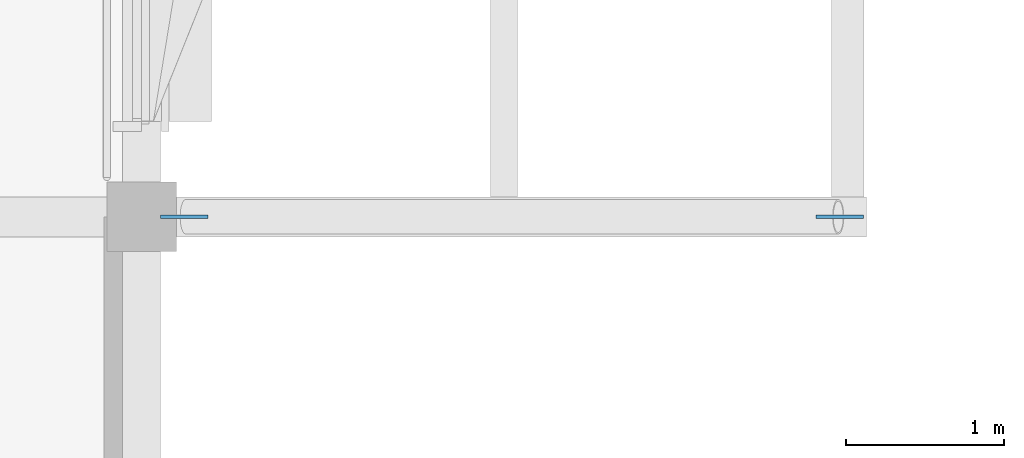
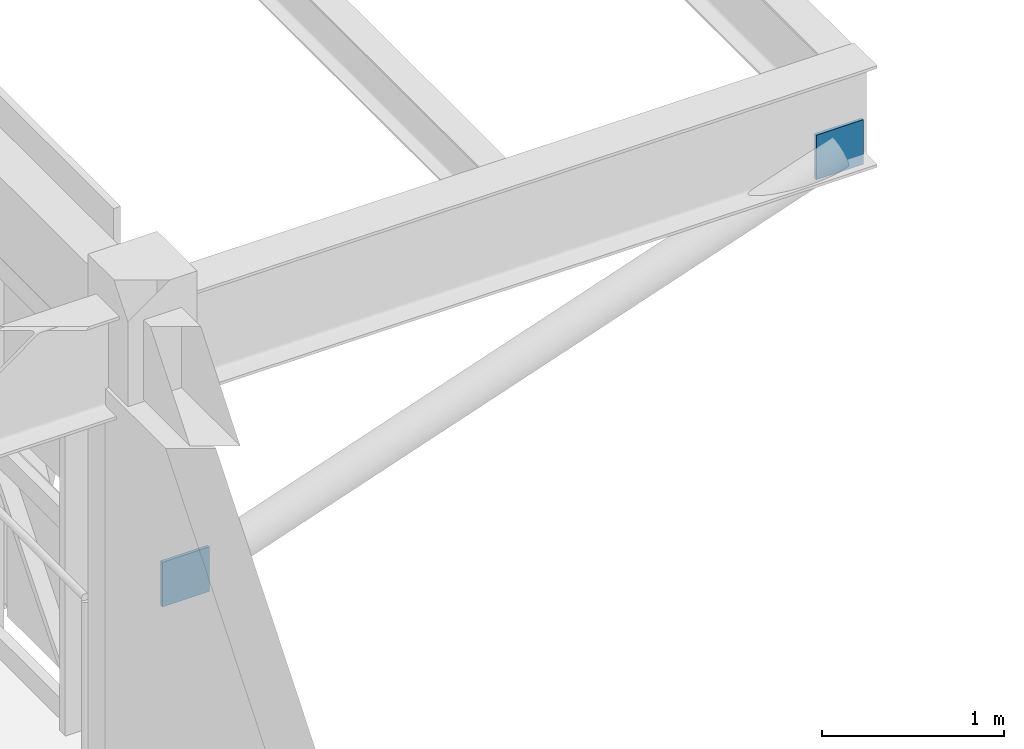
# One storey, part 17 of 30: 2 plates.
"""IFC4 building model written with IfcOpenShell, lengths in metres."""

import ifcopenshell
import ifcopenshell.guid

model = None  # the IFC model being written
_history = None  # IfcOwnerHistory: only IFC2X3 demands one
_inside = {}  # id of a spatial element -> (the spatial element, [elements in it])
_under = {}  # id of a project, library or spatial element -> (it, [spatial elements below it])
_declared = {}  # id of a project -> (the project, [libraries it declares])
_typed = {}  # id of a type object -> (the type object, [elements of that type])
_made_of = {}  # id of a material, layer set ... -> (it, [elements and type objects made of it])


def new_model(schema):
    """Start an empty IFC model of exactly this schema.

    Asked for "IFC4X3", IfcOpenShell would pick the latest addendum, in which some entities
    have other attributes; the version numbers below select the first issue.
    IFC2X3 requires an IfcOwnerHistory on every rooted entity: one is made here for all.
    """
    global model, _history
    if schema == "IFC4X3":
        model = ifcopenshell.file(schema_version=(4, 3, 0, 0))
    else:
        model = ifcopenshell.file(schema=schema)
    _inside.clear()
    _under.clear()
    _declared.clear()
    _typed.clear()
    _made_of.clear()
    _history = None
    if model.schema == "IFC2X3":
        org = make("IfcOrganization", Name="unknown")
        user = make(
            "IfcPersonAndOrganization",
            ThePerson=make("IfcPerson", FamilyName="unknown"),
            TheOrganization=org,
        )
        app = make(
            "IfcApplication",
            ApplicationDeveloper=org,
            Version="unknown",
            ApplicationFullName="unknown",
            ApplicationIdentifier="unknown",
        )
        _history = make(
            "IfcOwnerHistory",
            OwningUser=user,
            OwningApplication=app,
            ChangeAction="ADDED",
            CreationDate=0,
        )
    return model


def make(cls, **values):
    """One entity of the class cls with the attributes given. An attribute that is None is left unset."""
    return model.create_entity(
        cls, **{name: value for name, value in values.items() if value is not None}
    )


def rooted(cls, **values):
    """An entity with a GlobalId (a new one), such as an element, a storey or a relation."""
    return make(cls, GlobalId=ifcopenshell.guid.new(), OwnerHistory=_history, **values)


def si_unit(unit_type, name, prefix=None):
    """IfcSIUnit, for example si_unit("LENGTHUNIT", "METRE", prefix="MILLI")."""
    return make("IfcSIUnit", UnitType=unit_type, Prefix=prefix, Name=name)


def assignment(units):
    """IfcUnitAssignment: the units of a project."""
    return None if units is None else make("IfcUnitAssignment", Units=units)


def point(xyz):
    """IfcCartesianPoint."""
    return None if xyz is None else make("IfcCartesianPoint", Coordinates=xyz)


def direction(xyz):
    """IfcDirection."""
    return None if xyz is None else make("IfcDirection", DirectionRatios=xyz)


def frame(location, z_axis=None, x_axis=None):
    """IfcAxis2Placement3D, a coordinate frame: its origin and axes. An axis left out is left unset."""
    return make(
        "IfcAxis2Placement3D",
        Location=point(location),
        Axis=direction(z_axis),
        RefDirection=direction(x_axis),
    )


def origin():
    """The frame at (0, 0, 0) with its axes left unset."""
    return frame((0.0, 0.0, 0.0))


def place(relative_to, where):
    """IfcLocalPlacement: puts the frame where relative to a parent placement (None: the world)."""
    return make(
        "IfcLocalPlacement", PlacementRelTo=relative_to, RelativePlacement=where
    )


def context(
    kind, dimensions, precision=None, world=None, true_north=None, identifier=None
):
    """IfcGeometricRepresentationContext, for example the 3D "Model" context."""
    return make(
        "IfcGeometricRepresentationContext",
        ContextIdentifier=identifier,
        ContextType=kind,
        CoordinateSpaceDimension=dimensions,
        Precision=precision,
        WorldCoordinateSystem=world,
        TrueNorth=true_north,
    )


def subcontext(parent, identifier, kind, view, scale=None):
    """IfcGeometricRepresentationSubContext, for example "Body" below "Model"."""
    return make(
        "IfcGeometricRepresentationSubContext",
        ContextIdentifier=identifier,
        ContextType=kind,
        ParentContext=parent,
        TargetScale=scale,
        TargetView=view,
    )


def project(units=None, contexts=None):
    """IfcProject with its units and contexts."""
    return rooted(
        "IfcProject",
        Name="project",
        RepresentationContexts=contexts,
        UnitsInContext=assignment(units),
    )


def spatial(cls, under=None, at=None, **own):
    """A site, building, storey or space (cls), placed at a placement, below another one or the project."""
    s = rooted(cls, ObjectPlacement=at, **own)
    if under is not None:
        _under.setdefault(under.id(), (under, []))[1].append(s)
    return s


def polyline(points):
    """IfcPolyline through the points."""
    return make("IfcPolyline", Points=[point(p) for p in points])


def outline(outer, holes=None, kind="AREA"):
    """IfcArbitraryClosedProfileDef: a profile drawn as a closed curve; with holes, ...WithVoids."""
    if holes is None:
        return make("IfcArbitraryClosedProfileDef", ProfileType=kind, OuterCurve=outer)
    return make(
        "IfcArbitraryProfileDefWithVoids",
        ProfileType=kind,
        OuterCurve=outer,
        InnerCurves=holes,
    )


def extrude(swept, where, along, depth):
    """IfcExtrudedAreaSolid: the profile swept, set in the frame where, extruded along a direction by depth."""
    return make(
        "IfcExtrudedAreaSolid",
        SweptArea=swept,
        Position=where,
        ExtrudedDirection=direction(along),
        Depth=depth,
    )


def shape(context_of_items, identifier, shape_type, items):
    """IfcShapeRepresentation: the items that make up one representation, for example the "Body"."""
    return make(
        "IfcShapeRepresentation",
        ContextOfItems=context_of_items,
        RepresentationIdentifier=identifier,
        RepresentationType=shape_type,
        Items=items,
    )


def material(Name=None, Category=None):
    """IfcMaterial."""
    return make("IfcMaterial", Name=Name, Category=Category)


def layer(
    of_material, thickness, ventilated=None, Name=None, Category=None, Priority=None
):
    """IfcMaterialLayer: one layer of a wall or slab, of a material (None: an air gap)."""
    return make(
        "IfcMaterialLayer",
        Material=of_material,
        LayerThickness=thickness,
        IsVentilated=ventilated,
        Name=Name,
        Category=Category,
        Priority=Priority,
    )


def layer_set(layers, Name=None):
    """IfcMaterialLayerSet."""
    return make("IfcMaterialLayerSet", MaterialLayers=layers, LayerSetName=Name)


def made_of(thing, what):
    """Note that an element or type object is made of a material, layer set ...; save() writes the relation."""
    if what is not None:
        _made_of.setdefault(what.id(), (what, []))[1].append(thing)
    return thing


def type_object(cls, material=None, **own):
    """A type object (cls), such as IfcWallType, which elements share."""
    return made_of(rooted(cls, **own), material)


def element(
    cls,
    number,
    at=None,
    inside=None,
    cuts=None,
    type_object=None,
    material=None,
    context=None,
    identifier="Body",
    shape_type=None,
    held_by="IfcProductDefinitionShape",
    body=None,
    shapes=None,
    **own,
):
    """One element of the class cls, such as IfcWall. Its Tag is "e" and its number.

    at: its placement. inside: the storey or other place that contains it. cuts: it is an
    opening in that element (IfcRelVoidsElement). A single representation is given by context,
    identifier, shape_type and body (its items); several are given by shapes. held_by: the class
    of the entity that holds the representations. save() writes the other relations.
    """
    e = rooted(cls, Tag="e%d" % number, ObjectPlacement=at, **own)
    if body is not None:
        shapes = [shape(context, identifier, shape_type, body)]
    if shapes is not None:
        e.Representation = make(held_by, Representations=shapes)
    if inside is not None:
        _inside.setdefault(inside.id(), (inside, []))[1].append(e)
    if cuts is not None:
        rooted(
            "IfcRelVoidsElement", RelatingBuildingElement=cuts, RelatedOpeningElement=e
        )
    if type_object is not None:
        _typed.setdefault(type_object.id(), (type_object, []))[1].append(e)
    return made_of(e, material)


def aggregate(whole, parts):
    """IfcRelAggregates: a whole, such as a stair, and the parts it consists of."""
    return rooted("IfcRelAggregates", RelatingObject=whole, RelatedObjects=parts)


def save(model, path):
    """Write the relations noted so far, then the file.

    IfcRelAggregates (storeys below a building ...), IfcRelContainedInSpatialStructure (elements
    in a storey), IfcRelDefinesByType, IfcRelAssociatesMaterial and IfcRelDeclares: one each for
    every whole, place, type object, material and project.
    """
    for whole, parts in _under.values():
        aggregate(whole, parts)
    for where, things in _inside.values():
        rooted(
            "IfcRelContainedInSpatialStructure",
            RelatedElements=things,
            RelatingStructure=where,
        )
    for kind, things in _typed.values():
        rooted("IfcRelDefinesByType", RelatedObjects=things, RelatingType=kind)
    for what, things in _made_of.values():
        rooted("IfcRelAssociatesMaterial", RelatedObjects=things, RelatingMaterial=what)
    for by, libraries in _declared.values():
        rooted("IfcRelDeclares", RelatingContext=by, RelatedDefinitions=libraries)
    model.write(path)


model = new_model("IFC4")

# Units and contexts
model_context = context("Model", 3, precision=1e-05, world=origin(), true_north=direction((0.0, 1.0)))
body_context = subcontext(model_context, "Body", "Model", "MODEL_VIEW")
ifc_project = project(units=[si_unit("LENGTHUNIT", "METRE"), si_unit("AREAUNIT", "SQUARE_METRE"), si_unit("VOLUMEUNIT", "CUBIC_METRE"), si_unit("PLANEANGLEUNIT", "RADIAN"), si_unit("MASSUNIT", "GRAM", prefix="KILO")], contexts=[model_context])

# Site, building, storey
site_placement = place(None, origin())
site = spatial("IfcSite", under=ifc_project, at=site_placement, CompositionType="ELEMENT")
building_placement = place(site_placement, origin())
building = spatial("IfcBuilding", under=site, at=building_placement, Name="Alvorim Cloister Faculty of Sciences", CompositionType="ELEMENT")
storey_placement = place(building_placement, frame((0.0, 0.0, 26.25)))
storey = spatial("IfcBuildingStorey", under=building, at=storey_placement, Name="L07", CompositionType="ELEMENT", Elevation=26.25)

# Plates
ifc_material = material(Name="Steel ASTM A572 Grade 50", Category="steel")
ifc_layer = layer(ifc_material, 0.02001953125)
ifc_layer_set = layer_set([ifc_layer], Name="Steel ASTM A572 Grade 50")
plate_type = type_object("IfcPlateType", Name="PL-GUS-20", PredefinedType="SHEET", material=ifc_layer_set)
for number, where, z_axis, x_axis, name in (
    (1, (28.92041015625, 21.60009765625, 1.0966796875), (0.0, 0.0, 1.0), (1.0, 0.0, 0.0), "Hollow Steel End Plate ND-01"),
    (2, (33.07958984375, 21.60009765625, 2.51318359375), (0.0, 0.0, 1.0), (1.0, 0.0, 0.0), "Hollow Steel End Plate ND-01"),
):
    element("IfcPlate", number, at=place(storey_placement, frame(where, z_axis=z_axis, x_axis=x_axis)), inside=storey, type_object=plate_type, Name=name, PredefinedType="SHEET", context=body_context, shape_type="SweptSolid", body=[
        extrude(outline(polyline([(0.0, 0.0), (0.300048828125, 0.0), (0.300048828125, 0.300048828125), (0.0, 0.300048828125), (0.0, 0.0)])), frame((0.0, 0.010009765625, 0.0), z_axis=(0.0, -1.0, 0.0), x_axis=(1.0, 0.0, 0.0)), (0.0, 0.0, 1.0), 0.02001953125),
    ])

save(model, "model.ifc")
